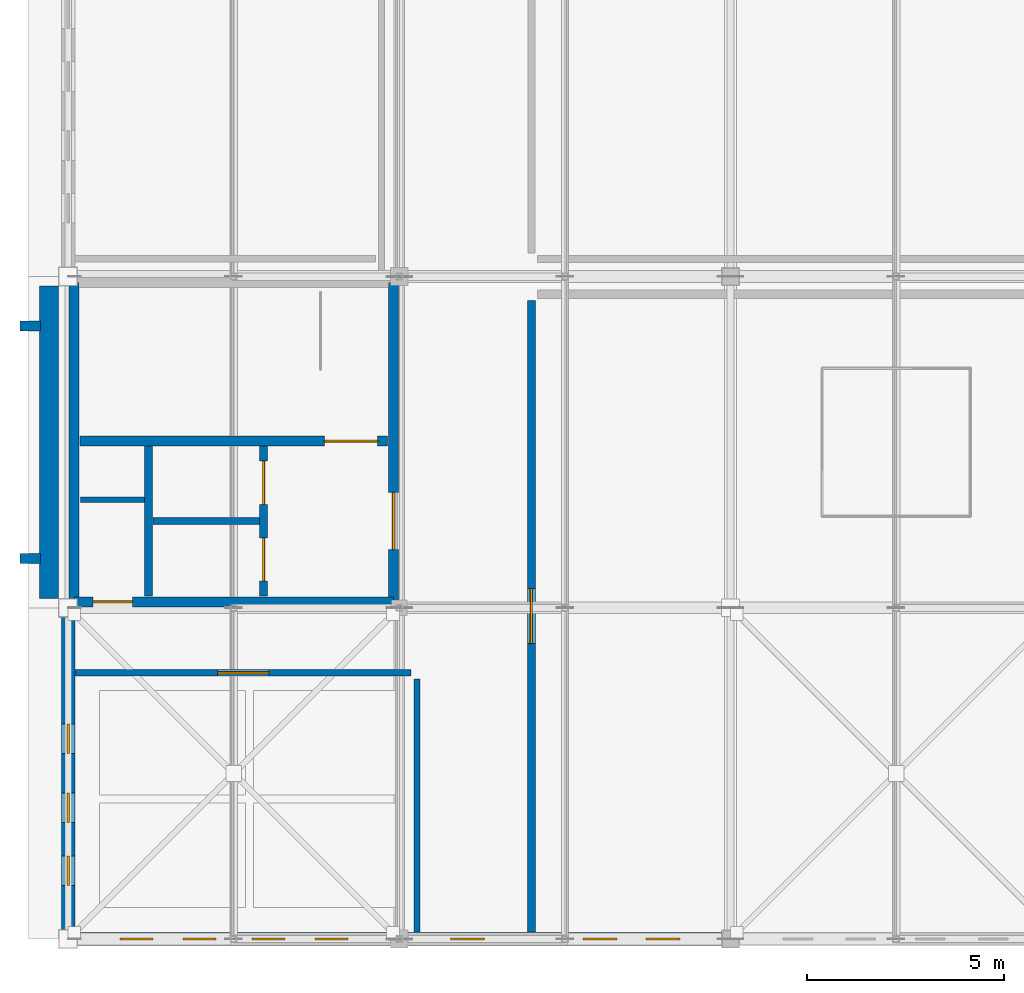
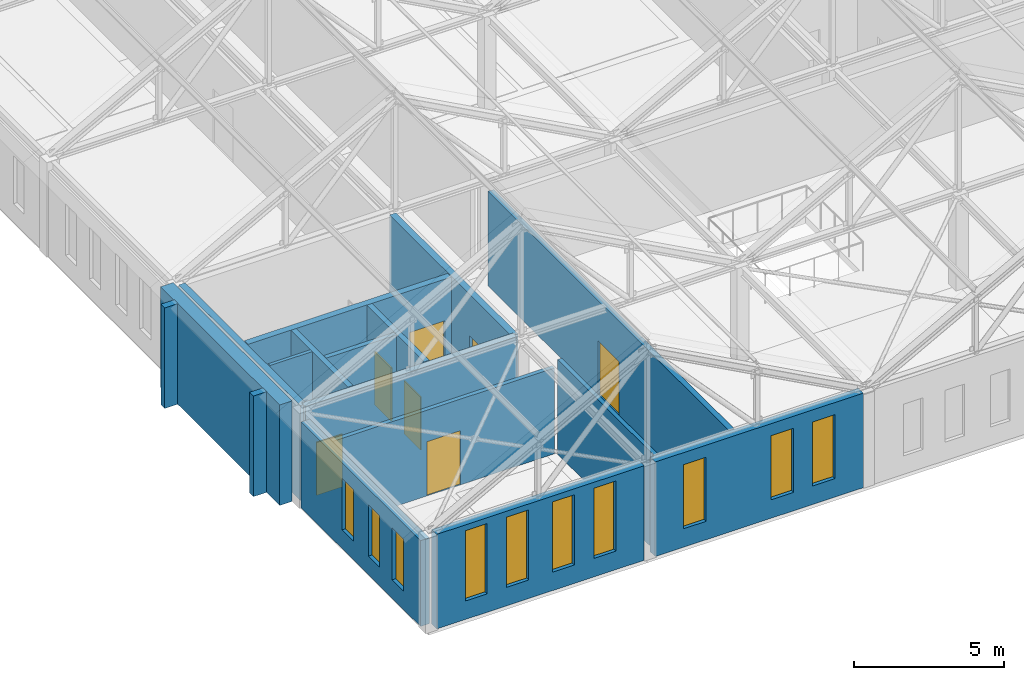
# One storey, part 30 of 36: 17 walls, 10 windows, 7 doors, 17 openings.
"""IFC4 building model written with IfcOpenShell, lengths in metres."""

from ifc_helpers import new_model, si_unit, direction, frame, frame_2d, origin, place, context, subcontext, project, spatial, rectangle, extrude, material, layer, layer_set, type_object, element, fill, save


model = new_model("IFC4")

# Units and contexts
model_context = context("Model", 3, precision=1e-05, world=origin(), true_north=direction((0.0, 1.0)))
body_context = subcontext(model_context, "Body", "Model", "MODEL_VIEW")
ifc_project = project(units=[si_unit("LENGTHUNIT", "METRE"), si_unit("AREAUNIT", "SQUARE_METRE"), si_unit("VOLUMEUNIT", "CUBIC_METRE"), si_unit("PLANEANGLEUNIT", "RADIAN"), si_unit("MASSUNIT", "GRAM", prefix="KILO")], contexts=[model_context])

# Site, building, storey
site_placement = place(None, origin())
site = spatial("IfcSite", under=ifc_project, at=site_placement, CompositionType="ELEMENT")
building_placement = place(site_placement, origin())
building = spatial("IfcBuilding", under=site, at=building_placement, Name="Kveldsbrygga Polytechnic", CompositionType="ELEMENT")
storey_placement = place(building_placement, frame((0.0, 0.0, 26.179931640625)))
storey = spatial("IfcBuildingStorey", under=building, at=storey_placement, Name="L06", CompositionType="ELEMENT", Elevation=26.179931640625)

# Wall
ifc_material_1 = material(Name="Fired clay brick masonry M10", Category="masonry")
ifc_layer_1 = layer(ifc_material_1, 0.47998046875)
ifc_layer_set_1 = layer_set([ifc_layer_1], Name="Fired clay brick masonry M10")
wall_type_1 = type_object("IfcWallType", Name="EW-BAST-480", PredefinedType="SOLIDWALL", material=ifc_layer_set_1)
wall_1_placement = place(storey_placement, frame((125.52001953125, 25.43994140625, 0.0), z_axis=(0.0, 0.0, 1.0), x_axis=(0.0, 1.0, 0.0)))
element("IfcWall", 1, at=wall_1_placement, inside=storey, type_object=wall_type_1, Name="Corner Stair Bastion Wall BAST-L06-Y-15-03", PredefinedType="SOLIDWALL", context=body_context, shape_type="SweptSolid", body=[
    extrude(rectangle(XDim=7.920166015625, YDim=0.47998046875, at=frame_2d((3.9599609375, 0.0))), origin(), (0.0, 0.0, 1.0), 4.080078125),
])

# Wall, openings, windows
ifc_layer_2 = layer(ifc_material_1, 0.340087890625)
ifc_layer_set_2 = layer_set([ifc_layer_2], Name="Fired clay brick masonry M10")
wall_type_2 = type_object("IfcWallType", Name="EW-BRICK-340", PredefinedType="SOLIDWALL", material=ifc_layer_set_2)
wall_2_placement = place(storey_placement, frame((126.22509765625, 16.800048828125, 0.0), z_axis=(0.0, 0.0, 1.0), x_axis=(1.0, 0.0, 0.0)))
wall_2 = element("IfcWall", 2, at=wall_2_placement, inside=storey, type_object=wall_type_2, Name="Exterior Brick Wall EW-L06-X-15-02", PredefinedType="SOLIDWALL", context=body_context, shape_type="SweptSolid", body=[
    extrude(rectangle(XDim=7.96484375, YDim=0.340087890625, at=frame_2d((3.982421875, 0.0))), origin(), (0.0, 0.0, 1.0), 3.840087890625),
])
opening_1_placement = place(wall_2_placement, frame((1.09326171875, 0.0, 0.75)))
opening_1 = element("IfcOpeningElement", 3, at=opening_1_placement, cuts=wall_2, Name="Opening W-13", PredefinedType="OPENING", context=body_context, shape_type="SweptSolid", body=[
    extrude(rectangle(XDim=0.840087890625, YDim=2.85009765625, at=frame_2d((0.419921875, 1.425048828125))), frame((0.0, 0.18017578125, 0.0), z_axis=(0.0, -1.0, 0.0), x_axis=(1.0, 0.0, 0.0)), (0.0, 0.0, 1.0), 0.360107421875),
])
opening_2_placement = place(wall_2_placement, frame((2.686279296875, 0.0, 0.75)))
opening_2 = element("IfcOpeningElement", 4, at=opening_2_placement, cuts=wall_2, Name="Opening W-13", PredefinedType="OPENING", context=body_context, shape_type="SweptSolid", body=[
    extrude(rectangle(XDim=0.840087890625, YDim=2.85009765625, at=frame_2d((0.419921875, 1.425048828125))), frame((0.0, 0.18017578125, 0.0), z_axis=(0.0, -1.0, 0.0), x_axis=(1.0, 0.0, 0.0)), (0.0, 0.0, 1.0), 0.360107421875),
])
opening_3_placement = place(wall_2_placement, frame((4.438720703125, 0.0, 0.75)))
opening_3 = element("IfcOpeningElement", 5, at=opening_3_placement, cuts=wall_2, Name="Opening W-13", PredefinedType="OPENING", context=body_context, shape_type="SweptSolid", body=[
    extrude(rectangle(XDim=0.840087890625, YDim=2.85009765625, at=frame_2d((0.419921875, 1.425048828125))), frame((0.0, 0.18017578125, 0.0), z_axis=(0.0, -1.0, 0.0), x_axis=(1.0, 0.0, 0.0)), (0.0, 0.0, 1.0), 0.360107421875),
])
opening_4_placement = place(wall_2_placement, frame((6.03173828125, 0.0, 0.75)))
opening_4 = element("IfcOpeningElement", 6, at=opening_4_placement, cuts=wall_2, Name="Opening W-13", PredefinedType="OPENING", context=body_context, shape_type="SweptSolid", body=[
    extrude(rectangle(XDim=0.840087890625, YDim=2.85009765625, at=frame_2d((0.419921875, 1.425048828125))), frame((0.0, 0.18017578125, 0.0), z_axis=(0.0, -1.0, 0.0), x_axis=(1.0, 0.0, 0.0)), (0.0, 0.0, 1.0), 0.360107421875),
])
ifc_material_2 = material(Name="Insulated triple low-E glass", Category="glass")
window_type_1 = type_object("IfcWindowType", Name="WN-LANC-084x285", PartitioningType="DOUBLE_PANEL_VERTICAL", PredefinedType="WINDOW", material=ifc_material_2)
window_1_placement = place(opening_1_placement, origin())
window_1 = element("IfcWindow", 7, at=window_1_placement, inside=storey, type_object=window_type_1, Name="Gothic Lancet Window WIN-L06-X-15-02-1", OverallHeight=2.85009765625, OverallWidth=0.840087890625, PartitioningType="DOUBLE_PANEL_VERTICAL", PredefinedType="WINDOW", context=body_context, shape_type="SweptSolid", body=[
    extrude(rectangle(XDim=0.840087890625, YDim=2.85009765625, at=frame_2d((0.419921875, 1.425048828125))), frame((0.0, 0.030029296875, 0.0), z_axis=(0.0, -1.0, 0.0), x_axis=(1.0, 0.0, 0.0)), (0.0, 0.0, 1.0), 0.06005859375),
])
fill(opening_1, window_1)
window_2_placement = place(opening_2_placement, origin())
window_2 = element("IfcWindow", 8, at=window_2_placement, inside=storey, type_object=window_type_1, Name="Gothic Lancet Window WIN-L06-X-15-02-2", OverallHeight=2.85009765625, OverallWidth=0.840087890625, PartitioningType="DOUBLE_PANEL_VERTICAL", PredefinedType="WINDOW", context=body_context, shape_type="SweptSolid", body=[
    extrude(rectangle(XDim=0.840087890625, YDim=2.85009765625, at=frame_2d((0.419921875, 1.425048828125))), frame((0.0, 0.030029296875, 0.0), z_axis=(0.0, -1.0, 0.0), x_axis=(1.0, 0.0, 0.0)), (0.0, 0.0, 1.0), 0.06005859375),
])
fill(opening_2, window_2)
window_3_placement = place(opening_3_placement, origin())
window_3 = element("IfcWindow", 9, at=window_3_placement, inside=storey, type_object=window_type_1, Name="Gothic Lancet Window WIN-L06-X-15-02-3", OverallHeight=2.85009765625, OverallWidth=0.840087890625, PartitioningType="DOUBLE_PANEL_VERTICAL", PredefinedType="WINDOW", context=body_context, shape_type="SweptSolid", body=[
    extrude(rectangle(XDim=0.840087890625, YDim=2.85009765625, at=frame_2d((0.419921875, 1.425048828125))), frame((0.0, 0.030029296875, 0.0), z_axis=(0.0, -1.0, 0.0), x_axis=(1.0, 0.0, 0.0)), (0.0, 0.0, 1.0), 0.06005859375),
])
fill(opening_3, window_3)
window_4_placement = place(opening_4_placement, origin())
window_4 = element("IfcWindow", 10, at=window_4_placement, inside=storey, type_object=window_type_1, Name="Gothic Lancet Window WIN-L06-X-15-02-4", OverallHeight=2.85009765625, OverallWidth=0.840087890625, PartitioningType="DOUBLE_PANEL_VERTICAL", PredefinedType="WINDOW", context=body_context, shape_type="SweptSolid", body=[
    extrude(rectangle(XDim=0.840087890625, YDim=2.85009765625, at=frame_2d((0.419921875, 1.425048828125))), frame((0.0, 0.030029296875, 0.0), z_axis=(0.0, -1.0, 0.0), x_axis=(1.0, 0.0, 0.0)), (0.0, 0.0, 1.0), 0.06005859375),
])
fill(opening_4, window_4)

wall_3_placement = place(storey_placement, frame((126.0, 17.02490234375, 0.0), z_axis=(0.0, 0.0, 1.0), x_axis=(0.0, 1.0, 0.0)))
wall_3 = element("IfcWall", 11, at=wall_3_placement, inside=storey, type_object=wall_type_2, Name="Exterior Brick Wall EW-L06-Y-15-02", PredefinedType="SOLIDWALL", context=body_context, shape_type="SweptSolid", body=[
    extrude(rectangle(XDim=7.9501953125, YDim=0.340087890625, at=frame_2d((3.97509765625, 0.0))), origin(), (0.0, 0.0, 1.0), 3.47998046875),
])
opening_5_placement = place(wall_3_placement, frame((1.135498046875, 0.0, 0.75)))
opening_5 = element("IfcOpeningElement", 12, at=opening_5_placement, cuts=wall_3, Name="Opening W-27", PredefinedType="OPENING", context=body_context, shape_type="SweptSolid", body=[
    extrude(rectangle(XDim=0.75, YDim=2.10009765625, at=frame_2d((0.375, 1.050048828125))), frame((0.0, 0.18017578125, 0.0), z_axis=(0.0, -1.0, 0.0), x_axis=(1.0, 0.0, 0.0)), (0.0, 0.0, 1.0), 0.360107421875),
])
opening_6_placement = place(wall_3_placement, frame((2.7255859375, 0.0, 0.75)))
opening_6 = element("IfcOpeningElement", 13, at=opening_6_placement, cuts=wall_3, Name="Opening W-27", PredefinedType="OPENING", context=body_context, shape_type="SweptSolid", body=[
    extrude(rectangle(XDim=0.75, YDim=2.10009765625, at=frame_2d((0.375, 1.050048828125))), frame((0.0, 0.18017578125, 0.0), z_axis=(0.0, -1.0, 0.0), x_axis=(1.0, 0.0, 0.0)), (0.0, 0.0, 1.0), 0.360107421875),
])
opening_7_placement = place(wall_3_placement, frame((4.474609375, 0.0, 0.75)))
opening_7 = element("IfcOpeningElement", 14, at=opening_7_placement, cuts=wall_3, Name="Opening W-27", PredefinedType="OPENING", context=body_context, shape_type="SweptSolid", body=[
    extrude(rectangle(XDim=0.75, YDim=2.10009765625, at=frame_2d((0.375, 1.050048828125))), frame((0.0, 0.18017578125, 0.0), z_axis=(0.0, -1.0, 0.0), x_axis=(1.0, 0.0, 0.0)), (0.0, 0.0, 1.0), 0.360107421875),
])
window_type_2 = type_object("IfcWindowType", Name="WN-ATTIC-075x210", PartitioningType="DOUBLE_PANEL_VERTICAL", PredefinedType="WINDOW", material=ifc_material_2)
window_5_placement = place(opening_5_placement, origin())
window_5 = element("IfcWindow", 15, at=window_5_placement, inside=storey, type_object=window_type_2, Name="Gothic Lancet Window WIN-L06-Y-15-02-1", OverallHeight=2.10009765625, OverallWidth=0.75, PartitioningType="DOUBLE_PANEL_VERTICAL", PredefinedType="WINDOW", context=body_context, shape_type="SweptSolid", body=[
    extrude(rectangle(XDim=0.75, YDim=2.10009765625, at=frame_2d((0.375, 1.050048828125))), frame((0.0, 0.030029296875, 0.0), z_axis=(0.0, -1.0, 0.0), x_axis=(1.0, 0.0, 0.0)), (0.0, 0.0, 1.0), 0.06005859375),
])
fill(opening_5, window_5)
window_6_placement = place(opening_6_placement, origin())
window_6 = element("IfcWindow", 16, at=window_6_placement, inside=storey, type_object=window_type_2, Name="Gothic Lancet Window WIN-L06-Y-15-02-2", OverallHeight=2.10009765625, OverallWidth=0.75, PartitioningType="DOUBLE_PANEL_VERTICAL", PredefinedType="WINDOW", context=body_context, shape_type="SweptSolid", body=[
    extrude(rectangle(XDim=0.75, YDim=2.10009765625, at=frame_2d((0.375, 1.050048828125))), frame((0.0, 0.030029296875, 0.0), z_axis=(0.0, -1.0, 0.0), x_axis=(1.0, 0.0, 0.0)), (0.0, 0.0, 1.0), 0.06005859375),
])
fill(opening_6, window_6)
window_7_placement = place(opening_7_placement, origin())
window_7 = element("IfcWindow", 17, at=window_7_placement, inside=storey, type_object=window_type_2, Name="Gothic Lancet Window WIN-L06-Y-15-02-3", OverallHeight=2.10009765625, OverallWidth=0.75, PartitioningType="DOUBLE_PANEL_VERTICAL", PredefinedType="WINDOW", context=body_context, shape_type="SweptSolid", body=[
    extrude(rectangle(XDim=0.75, YDim=2.10009765625, at=frame_2d((0.375, 1.050048828125))), frame((0.0, 0.030029296875, 0.0), z_axis=(0.0, -1.0, 0.0), x_axis=(1.0, 0.0, 0.0)), (0.0, 0.0, 1.0), 0.06005859375),
])
fill(opening_7, window_7)

wall_4_placement = place(storey_placement, frame((134.610107421875, 16.800048828125, 0.0), z_axis=(0.0, 0.0, 1.0), x_axis=(1.0, 0.0, 0.0)))
wall_4 = element("IfcWall", 18, at=wall_4_placement, inside=storey, type_object=wall_type_2, Name="Exterior Brick Wall EW-L06-X-16-02", PredefinedType="SOLIDWALL", context=body_context, shape_type="SweptSolid", body=[
    extrude(rectangle(XDim=7.994873046875, YDim=0.340087890625, at=frame_2d((3.99755859375, 0.0))), origin(), (0.0, 0.0, 1.0), 3.840087890625),
])
opening_8_placement = place(wall_4_placement, frame((1.089111328125, 0.0, 0.75)))
opening_8 = element("IfcOpeningElement", 19, at=opening_8_placement, cuts=wall_4, Name="Opening W-16", PredefinedType="OPENING", context=body_context, shape_type="SweptSolid", body=[
    extrude(rectangle(XDim=0.860107421875, YDim=2.60009765625, at=frame_2d((0.43017578125, 1.300048828125))), frame((0.0, 0.18017578125, 0.0), z_axis=(0.0, -1.0, 0.0), x_axis=(1.0, 0.0, 0.0)), (0.0, 0.0, 1.0), 0.360107421875),
])
opening_9_placement = place(wall_4_placement, frame((4.447021484375, 0.0, 0.75)))
opening_9 = element("IfcOpeningElement", 20, at=opening_9_placement, cuts=wall_4, Name="Opening W-16", PredefinedType="OPENING", context=body_context, shape_type="SweptSolid", body=[
    extrude(rectangle(XDim=0.860107421875, YDim=2.60009765625, at=frame_2d((0.43017578125, 1.300048828125))), frame((0.0, 0.18017578125, 0.0), z_axis=(0.0, -1.0, 0.0), x_axis=(1.0, 0.0, 0.0)), (0.0, 0.0, 1.0), 0.360107421875),
])
opening_10_placement = place(wall_4_placement, frame((6.0458984375, 0.0, 0.75)))
opening_10 = element("IfcOpeningElement", 21, at=opening_10_placement, cuts=wall_4, Name="Opening W-16", PredefinedType="OPENING", context=body_context, shape_type="SweptSolid", body=[
    extrude(rectangle(XDim=0.860107421875, YDim=2.60009765625, at=frame_2d((0.43017578125, 1.300048828125))), frame((0.0, 0.18017578125, 0.0), z_axis=(0.0, -1.0, 0.0), x_axis=(1.0, 0.0, 0.0)), (0.0, 0.0, 1.0), 0.360107421875),
])
window_type_3 = type_object("IfcWindowType", Name="WN-LANC-086x260", PartitioningType="DOUBLE_PANEL_VERTICAL", PredefinedType="WINDOW", material=ifc_material_2)
window_8_placement = place(opening_8_placement, origin())
window_8 = element("IfcWindow", 22, at=window_8_placement, inside=storey, type_object=window_type_3, Name="Gothic Lancet Window WIN-L06-X-16-02-1", OverallHeight=2.60009765625, OverallWidth=0.860107421875, PartitioningType="DOUBLE_PANEL_VERTICAL", PredefinedType="WINDOW", context=body_context, shape_type="SweptSolid", body=[
    extrude(rectangle(XDim=0.860107421875, YDim=2.60009765625, at=frame_2d((0.43017578125, 1.300048828125))), frame((0.0, 0.030029296875, 0.0), z_axis=(0.0, -1.0, 0.0), x_axis=(1.0, 0.0, 0.0)), (0.0, 0.0, 1.0), 0.06005859375),
])
fill(opening_8, window_8)
window_9_placement = place(opening_9_placement, origin())
window_9 = element("IfcWindow", 23, at=window_9_placement, inside=storey, type_object=window_type_3, Name="Gothic Lancet Window WIN-L06-X-16-02-3", OverallHeight=2.60009765625, OverallWidth=0.860107421875, PartitioningType="DOUBLE_PANEL_VERTICAL", PredefinedType="WINDOW", context=body_context, shape_type="SweptSolid", body=[
    extrude(rectangle(XDim=0.860107421875, YDim=2.60009765625, at=frame_2d((0.43017578125, 1.300048828125))), frame((0.0, 0.030029296875, 0.0), z_axis=(0.0, -1.0, 0.0), x_axis=(1.0, 0.0, 0.0)), (0.0, 0.0, 1.0), 0.06005859375),
])
fill(opening_9, window_9)
window_10_placement = place(opening_10_placement, origin())
window_10 = element("IfcWindow", 24, at=window_10_placement, inside=storey, type_object=window_type_3, Name="Gothic Lancet Window WIN-L06-X-16-02-4", OverallHeight=2.60009765625, OverallWidth=0.860107421875, PartitioningType="DOUBLE_PANEL_VERTICAL", PredefinedType="WINDOW", context=body_context, shape_type="SweptSolid", body=[
    extrude(rectangle(XDim=0.860107421875, YDim=2.60009765625, at=frame_2d((0.43017578125, 1.300048828125))), frame((0.0, 0.030029296875, 0.0), z_axis=(0.0, -1.0, 0.0), x_axis=(1.0, 0.0, 0.0)), (0.0, 0.0, 1.0), 0.06005859375),
])
fill(opening_10, window_10)

# Walls
ifc_layer_3 = layer(ifc_material_1, 0.260009765625)
ifc_layer_set_3 = layer_set([ifc_layer_3], Name="Fired clay brick masonry M10")
wall_type_3 = type_object("IfcWallType", Name="EW-BUTT-260", PredefinedType="SOLIDWALL", material=ifc_layer_set_3)
for number, where, z_axis, x_axis, name in (
    (25, (125.300048828125, 26.449951171875, 0.0), (0.0, 0.0, 1.0), (-1.0, 0.0, 0.0), "Gothic Brick Buttress Pier BCLAS-L06-Y-15-03-1"),
    (26, (125.300048828125, 32.35009765625, 0.0), (0.0, 0.0, 1.0), (-1.0, 0.0, 0.0), "Gothic Brick Buttress Pier BCLAS-L06-Y-15-03-2"),
):
    element("IfcWall", number, at=place(storey_placement, frame(where, z_axis=z_axis, x_axis=x_axis)), inside=storey, type_object=wall_type_3, Name=name, PredefinedType="SOLIDWALL", context=body_context, shape_type="SweptSolid", body=[
        extrude(rectangle(XDim=0.52001953125, YDim=0.260009765625, at=frame_2d((0.260009765625, 0.0))), origin(), (0.0, 0.0, 1.0), 4.080078125),
    ])

# Wall, opening, door
ifc_material_3 = material(Name="Concrete blockwork masonry", Category="masonry")
ifc_layer_4 = layer(ifc_material_3, 0.2099609375)
ifc_layer_set_4 = layer_set([ifc_layer_4], Name="Concrete blockwork masonry")
wall_type_4 = type_object("IfcWallType", Name="IW-PLT-210", PredefinedType="PARTITIONING", material=ifc_layer_set_4)
wall_5_placement = place(storey_placement, frame((137.75, 16.97998046875, 0.0), z_axis=(0.0, 0.0, 1.0), x_axis=(0.0, 1.0, 0.0)))
wall_5 = element("IfcWall", 27, at=wall_5_placement, inside=storey, type_object=wall_type_4, Name="Partition Wall IW-SP-L06-PLANT-W1", PredefinedType="PARTITIONING", context=body_context, shape_type="SweptSolid", body=[
    extrude(rectangle(XDim=16.02001953125, YDim=0.2099609375, at=frame_2d((8.010009765625, 0.0))), origin(), (0.0, 0.0, 1.0), 3.840087890625),
])
opening_11_placement = place(wall_5_placement, frame((7.31005859375, 0.0, 0.0)))
opening_11 = element("IfcOpeningElement", 28, at=opening_11_placement, cuts=wall_5, Name="Opening ID-L06-104", PredefinedType="OPENING", context=body_context, shape_type="SweptSolid", body=[
    extrude(rectangle(XDim=1.39990234375, YDim=2.199951171875, at=frame_2d((0.699951171875, 1.10009765625))), frame((0.0, 0.114990234375, 0.0), z_axis=(0.0, -1.0, 0.0), x_axis=(1.0, 0.0, 0.0)), (0.0, 0.0, 1.0), 0.22998046875),
])
ifc_material_4 = material(Name="Powder-coated galvanised steel", Category="steel")
door_type_1 = type_object("IfcDoorType", Name="ID-PLT-140x220", OperationType="DOUBLE_DOOR_SINGLE_SWING", PredefinedType="DOOR", material=ifc_material_4)
door_1_placement = place(opening_11_placement, origin())
door_1 = element("IfcDoor", 29, at=door_1_placement, inside=storey, type_object=door_type_1, Name="Interior Door ID-L06-104", OperationType="DOUBLE_DOOR_SINGLE_SWING", OverallHeight=2.199951171875, OverallWidth=1.39990234375, PredefinedType="DOOR", context=body_context, shape_type="SweptSolid", body=[
    extrude(rectangle(XDim=1.39990234375, YDim=2.199951171875, at=frame_2d((0.699951171875, 1.10009765625))), frame((0.0, 0.02490234375, 0.0), z_axis=(0.0, -1.0, 0.0), x_axis=(1.0, 0.0, 0.0)), (0.0, 0.0, 1.0), 0.050048828125),
])
fill(opening_11, door_1)

# Wall
ifc_material_5 = material(Name="Moisture-resistant masonry M10", Category="masonry")
ifc_layer_5 = layer(ifc_material_5, 0.1298828125)
ifc_layer_set_5 = layer_set([ifc_layer_5], Name="Moisture-resistant masonry M10")
wall_type_5 = type_object("IfcWallType", Name="IW-SAN-130", PredefinedType="PARTITIONING", material=ifc_layer_set_5)
wall_6_placement = place(storey_placement, frame((126.320068359375, 27.93994140625, 0.0), z_axis=(0.0, 0.0, 1.0), x_axis=(1.0, 0.0, 0.0)))
element("IfcWall", 30, at=wall_6_placement, inside=storey, type_object=wall_type_5, Name="Core AWC Divider C1-L06-W-RSR", PredefinedType="PARTITIONING", context=body_context, shape_type="SweptSolid", body=[
    extrude(rectangle(XDim=1.619873046875, YDim=0.1298828125, at=frame_2d((0.81005859375, 0.0))), origin(), (0.0, 0.0, 1.0), 3.840087890625),
])

# Wall, opening, door
ifc_material_6 = material(Name="Gypsum acoustic stud partition")
ifc_layer_6 = layer(ifc_material_6, 0.159912109375)
ifc_layer_set_6 = layer_set([ifc_layer_6], Name="Gypsum acoustic stud partition")
wall_type_6 = type_object("IfcWallType", Name="IW-STD-160", PredefinedType="PARTITIONING", material=ifc_layer_set_6)
wall_7_placement = place(storey_placement, frame((126.179931640625, 23.550048828125, 0.0), z_axis=(0.0, 0.0, 1.0), x_axis=(1.0, 0.0, 0.0)))
wall_7 = element("IfcWall", 31, at=wall_7_placement, inside=storey, type_object=wall_type_6, Name="Partition Wall IW-SP-L06-STD62-N1", PredefinedType="PARTITIONING", context=body_context, shape_type="SweptSolid", body=[
    extrude(rectangle(XDim=8.52001953125, YDim=0.159912109375, at=frame_2d((4.260009765625, 0.0))), origin(), (0.0, 0.0, 1.0), 3.47998046875),
])
opening_12_placement = place(wall_7_placement, frame((3.610107421875, 0.0, 0.0)))
opening_12 = element("IfcOpeningElement", 32, at=opening_12_placement, cuts=wall_7, Name="Opening ID-L06-100", PredefinedType="OPENING", context=body_context, shape_type="SweptSolid", body=[
    extrude(rectangle(XDim=1.300048828125, YDim=2.199951171875, at=frame_2d((0.64990234375, 1.10009765625))), frame((0.0, 0.08984375, 0.0), z_axis=(0.0, -1.0, 0.0), x_axis=(1.0, 0.0, 0.0)), (0.0, 0.0, 1.0), 0.179931640625),
])
ifc_material_7 = material(Name="Acoustic oak timber", Category="wood")
door_type_2 = type_object("IfcDoorType", Name="ID-STD-130x220", OperationType="NOTDEFINED", PredefinedType="DOOR", material=ifc_material_7)
door_2_placement = place(opening_12_placement, origin())
door_2 = element("IfcDoor", 33, at=door_2_placement, inside=storey, type_object=door_type_2, Name="Interior Door ID-L06-100", OperationType="SINGLE_SWING_LEFT", OverallHeight=2.199951171875, OverallWidth=1.300048828125, PredefinedType="DOOR", context=body_context, shape_type="SweptSolid", body=[
    extrude(rectangle(XDim=1.300048828125, YDim=2.199951171875, at=frame_2d((0.64990234375, 1.10009765625))), frame((0.0, 0.02490234375, 0.0), z_axis=(0.0, -1.0, 0.0), x_axis=(1.0, 0.0, 0.0)), (0.0, 0.0, 1.0), 0.050048828125),
])
fill(opening_12, door_2)

# Wall
wall_8_placement = place(storey_placement, frame((134.85009765625, 16.97998046875, 0.0), z_axis=(0.0, 0.0, 1.0), x_axis=(0.0, 1.0, 0.0)))
element("IfcWall", 34, at=wall_8_placement, inside=storey, type_object=wall_type_6, Name="Partition Wall IW-SP-L06-STD62-E1", PredefinedType="PARTITIONING", context=body_context, shape_type="SweptSolid", body=[
    extrude(rectangle(XDim=6.419921875, YDim=0.159912109375, at=frame_2d((3.2099609375, 0.0))), origin(), (0.0, 0.0, 1.0), 3.840087890625),
])

# Wall, opening, door
ifc_material_8 = material(Name="Concrete C45/55", Category="concrete")
ifc_layer_7 = layer(ifc_material_8, 0.25)
ifc_layer_set_7 = layer_set([ifc_layer_7], Name="Concrete C45/55")
wall_type_7 = type_object("IfcWallType", Name="WL-CORE-250", PredefinedType="SHEAR", material=ifc_layer_set_7)
wall_9_placement = place(storey_placement, frame((126.14990234375, 25.35009765625, 0.0), z_axis=(0.0, 0.0, 1.0), x_axis=(1.0, 0.0, 0.0)))
wall_9 = element("IfcWall", 35, at=wall_9_placement, inside=storey, type_object=wall_type_7, Name="Core C1 Shear Wall C1-L06-SW-S", PredefinedType="SHEAR", context=body_context, shape_type="SweptSolid", body=[
    extrude(rectangle(XDim=8.10009765625, YDim=0.25, at=frame_2d((4.050048828125, 0.0))), origin(), (0.0, 0.0, 1.0), 3.840087890625),
])
opening_13_placement = place(wall_9_placement, frame((0.485107421875, 0.0, 0.0)))
opening_13 = element("IfcOpeningElement", 36, at=opening_13_placement, cuts=wall_9, Name="Opening ID-C1-L06-AWC", PredefinedType="OPENING", context=body_context, shape_type="SweptSolid", body=[
    extrude(rectangle(XDim=1.0, YDim=2.14990234375, at=frame_2d((0.5, 1.074951171875))), frame((0.0, 0.135009765625, 0.0), z_axis=(0.0, -1.0, 0.0), x_axis=(1.0, 0.0, 0.0)), (0.0, 0.0, 1.0), 0.27001953125),
])
door_type_3 = type_object("IfcDoorType", Name="ID-AWC-100x215", OperationType="NOTDEFINED", PredefinedType="DOOR", material=ifc_material_7)
door_3_placement = place(opening_13_placement, origin())
door_3 = element("IfcDoor", 37, at=door_3_placement, inside=storey, type_object=door_type_3, Name="Accessible WC Door ID-C1-L06-AWC", OperationType="SINGLE_SWING_RIGHT", OverallHeight=2.14990234375, OverallWidth=1.0, PredefinedType="DOOR", context=body_context, shape_type="SweptSolid", body=[
    extrude(rectangle(XDim=1.0, YDim=2.14990234375, at=frame_2d((0.5, 1.074951171875))), frame((0.0, 0.02490234375, 0.0), z_axis=(0.0, -1.0, 0.0), x_axis=(1.0, 0.0, 0.0)), (0.0, 0.0, 1.0), 0.050048828125),
])
fill(opening_13, door_3)

# Wall
wall_10_placement = place(storey_placement, frame((126.14990234375, 25.35009765625, 0.0), z_axis=(0.0, 0.0, 1.0), x_axis=(0.0, 1.0, 0.0)))
element("IfcWall", 38, at=wall_10_placement, inside=storey, type_object=wall_type_7, Name="Core C1 Shear Wall C1-L06-SW-W", PredefinedType="SHEAR", context=body_context, shape_type="SweptSolid", body=[
    extrude(rectangle(XDim=8.099853515625, YDim=0.25, at=frame_2d((4.0498046875, 0.0))), origin(), (0.0, 0.0, 1.0), 3.840087890625),
])

# Wall, opening, door
wall_11_placement = place(storey_placement, frame((134.25, 25.35009765625, 0.0), z_axis=(0.0, 0.0, 1.0), x_axis=(0.0, 1.0, 0.0)))
wall_11 = element("IfcWall", 39, at=wall_11_placement, inside=storey, type_object=wall_type_7, Name="Core C1 Shear Wall C1-L06-SW-E", PredefinedType="SHEAR", context=body_context, shape_type="SweptSolid", body=[
    extrude(rectangle(XDim=8.099853515625, YDim=0.25, at=frame_2d((4.0498046875, 0.0))), origin(), (0.0, 0.0, 1.0), 3.840087890625),
])
opening_14_placement = place(wall_11_placement, frame((1.324951171875, 0.0, 0.0)))
opening_14 = element("IfcOpeningElement", 40, at=opening_14_placement, cuts=wall_11, Name="Opening FD-C1-L06-LOB", PredefinedType="OPENING", context=body_context, shape_type="SweptSolid", body=[
    extrude(rectangle(XDim=1.449951171875, YDim=2.14990234375, at=frame_2d((0.72509765625, 1.074951171875))), frame((0.0, 0.135009765625, 0.0), z_axis=(0.0, -1.0, 0.0), x_axis=(1.0, 0.0, 0.0)), (0.0, 0.0, 1.0), 0.27001953125),
])
door_type_4 = type_object("IfcDoorType", Name="ID-LOBBY-145x215", OperationType="DOUBLE_DOOR_SINGLE_SWING", PredefinedType="DOOR", material=ifc_material_4)
door_4_placement = place(opening_14_placement, origin())
door_4 = element("IfcDoor", 41, at=door_4_placement, inside=storey, type_object=door_type_4, Name="Core Lobby Fire Door FD-C1-L06-LOB", OperationType="DOUBLE_DOOR_SINGLE_SWING", OverallHeight=2.14990234375, OverallWidth=1.449951171875, PredefinedType="DOOR", context=body_context, shape_type="SweptSolid", body=[
    extrude(rectangle(XDim=1.449951171875, YDim=2.14990234375, at=frame_2d((0.72509765625, 1.074951171875))), frame((0.0, 0.02490234375, 0.0), z_axis=(0.0, -1.0, 0.0), x_axis=(1.0, 0.0, 0.0)), (0.0, 0.0, 1.0), 0.050048828125),
])
fill(opening_14, door_4)

wall_12_placement = place(storey_placement, frame((126.300048828125, 29.429931640625, 0.0), z_axis=(0.0, 0.0, 1.0), x_axis=(1.0, 0.0, 0.0)))
wall_12 = element("IfcWall", 42, at=wall_12_placement, inside=storey, type_object=wall_type_7, Name="Core C1 Shear Wall C1-L06-W-DIV", PredefinedType="SHEAR", context=body_context, shape_type="SweptSolid", body=[
    extrude(rectangle(XDim=7.800048828125, YDim=0.25, at=frame_2d((3.89990234375, 0.0))), origin(), (0.0, 0.0, 1.0), 3.840087890625),
])
opening_15_placement = place(wall_12_placement, frame((6.199951171875, 0.0, 0.0)))
opening_15 = element("IfcOpeningElement", 43, at=opening_15_placement, cuts=wall_12, Name="Opening FD-C1-L06-ST", PredefinedType="OPENING", context=body_context, shape_type="SweptSolid", body=[
    extrude(rectangle(XDim=1.35009765625, YDim=2.14990234375, at=frame_2d((0.675048828125, 1.074951171875))), frame((0.0, 0.135009765625, 0.0), z_axis=(0.0, -1.0, 0.0), x_axis=(1.0, 0.0, 0.0)), (0.0, 0.0, 1.0), 0.27001953125),
])
door_type_5 = type_object("IfcDoorType", Name="ID-STAIR-135x215", OperationType="NOTDEFINED", PredefinedType="DOOR", material=ifc_material_4)
door_5_placement = place(opening_15_placement, origin())
door_5 = element("IfcDoor", 44, at=door_5_placement, inside=storey, type_object=door_type_5, Name="Stair Fire Door FD-C1-L06-ST", OperationType="SINGLE_SWING_LEFT", OverallHeight=2.14990234375, OverallWidth=1.35009765625, PredefinedType="DOOR", context=body_context, shape_type="SweptSolid", body=[
    extrude(rectangle(XDim=1.35009765625, YDim=2.14990234375, at=frame_2d((0.675048828125, 1.074951171875))), frame((0.0, 0.02490234375, 0.0), z_axis=(0.0, -1.0, 0.0), x_axis=(1.0, 0.0, 0.0)), (0.0, 0.0, 1.0), 0.050048828125),
])
fill(opening_15, door_5)

# Wall
ifc_material_9 = material(Name="Concrete C35/45", Category="concrete")
ifc_layer_8 = layer(ifc_material_9, 0.179931640625)
ifc_layer_set_8 = layer_set([ifc_layer_8], Name="Concrete C35/45")
wall_type_8 = type_object("IfcWallType", Name="WL-SHFT-180", PredefinedType="SHEAR", material=ifc_layer_set_8)
wall_13_placement = place(storey_placement, frame((128.14990234375, 27.39990234375, 0.0), z_axis=(0.0, 0.0, 1.0), x_axis=(1.0, 0.0, 0.0)))
element("IfcWall", 45, at=wall_13_placement, inside=storey, type_object=wall_type_8, Name="Lift Divider Wall C1-L06-W-LMID", PredefinedType="SHEAR", context=body_context, shape_type="SweptSolid", body=[
    extrude(rectangle(XDim=2.7001953125, YDim=0.179931640625, at=frame_2d((1.35009765625, 0.0))), origin(), (0.0, 0.0, 1.0), 3.840087890625),
])

# Wall, openings, doors
ifc_layer_9 = layer(ifc_material_9, 0.199951171875)
ifc_layer_set_9 = layer_set([ifc_layer_9], Name="Concrete C35/45")
wall_type_9 = type_object("IfcWallType", Name="WL-SHFT-200", PredefinedType="SHEAR", material=ifc_layer_set_9)
wall_14_placement = place(storey_placement, frame((130.9599609375, 25.5, 0.0), z_axis=(0.0, 0.0, 1.0), x_axis=(0.0, 1.0, 0.0)))
wall_14 = element("IfcWall", 46, at=wall_14_placement, inside=storey, type_object=wall_type_9, Name="Lift Front Wall C1-L06-W-LFR", PredefinedType="SHEAR", context=body_context, shape_type="SweptSolid", body=[
    extrude(rectangle(XDim=3.800048828125, YDim=0.199951171875, at=frame_2d((1.89990234375, 0.0))), origin(), (0.0, 0.0, 1.0), 3.840087890625),
])
opening_16_placement = place(wall_14_placement, frame((0.375, 0.0, 0.0)))
opening_16 = element("IfcOpeningElement", 47, at=opening_16_placement, cuts=wall_14, Name="Opening LD-FL-1", PredefinedType="OPENING", context=body_context, shape_type="SweptSolid", body=[
    extrude(rectangle(XDim=1.10009765625, YDim=2.14990234375, at=frame_2d((0.550048828125, 1.074951171875))), frame((0.0, 0.10986328125, 0.0), z_axis=(0.0, -1.0, 0.0), x_axis=(1.0, 0.0, 0.0)), (0.0, 0.0, 1.0), 0.219970703125),
])
opening_17_placement = place(wall_14_placement, frame((2.324951171875, 0.0, 0.0)))
opening_17 = element("IfcOpeningElement", 48, at=opening_17_placement, cuts=wall_14, Name="Opening LD-LP-1", PredefinedType="OPENING", context=body_context, shape_type="SweptSolid", body=[
    extrude(rectangle(XDim=1.10009765625, YDim=2.14990234375, at=frame_2d((0.550048828125, 1.074951171875))), frame((0.0, 0.10986328125, 0.0), z_axis=(0.0, -1.0, 0.0), x_axis=(1.0, 0.0, 0.0)), (0.0, 0.0, 1.0), 0.219970703125),
])
ifc_material_10 = material(Name="Brushed stainless steel EN 1.4401", Category="steel")
door_type_6 = type_object("IfcDoorType", Name="LD-PAX-110x215", OperationType="SLIDING_TO_LEFT", PredefinedType="DOOR", material=ifc_material_10)
door_6_placement = place(opening_16_placement, origin())
door_6 = element("IfcDoor", 49, at=door_6_placement, inside=storey, type_object=door_type_6, Name="Lift Landing Sliding Door LD-FL-1-L06", OperationType="SLIDING_TO_LEFT", OverallHeight=2.14990234375, OverallWidth=1.10009765625, PredefinedType="DOOR", context=body_context, shape_type="SweptSolid", body=[
    extrude(rectangle(XDim=1.10009765625, YDim=2.14990234375, at=frame_2d((0.550048828125, 1.074951171875))), frame((0.0, 0.02490234375, 0.0), z_axis=(0.0, -1.0, 0.0), x_axis=(1.0, 0.0, 0.0)), (0.0, 0.0, 1.0), 0.050048828125),
])
fill(opening_16, door_6)
door_7_placement = place(opening_17_placement, origin())
door_7 = element("IfcDoor", 50, at=door_7_placement, inside=storey, type_object=door_type_6, Name="Lift Landing Sliding Door LD-LP-1-L06", OperationType="SLIDING_TO_LEFT", OverallHeight=2.14990234375, OverallWidth=1.10009765625, PredefinedType="DOOR", context=body_context, shape_type="SweptSolid", body=[
    extrude(rectangle(XDim=1.10009765625, YDim=2.14990234375, at=frame_2d((0.550048828125, 1.074951171875))), frame((0.0, 0.02490234375, 0.0), z_axis=(0.0, -1.0, 0.0), x_axis=(1.0, 0.0, 0.0)), (0.0, 0.0, 1.0), 0.050048828125),
])
fill(opening_17, door_7)

# Wall
wall_15_placement = place(storey_placement, frame((128.0400390625, 25.5, 0.0), z_axis=(0.0, 0.0, 1.0), x_axis=(0.0, 1.0, 0.0)))
element("IfcWall", 51, at=wall_15_placement, inside=storey, type_object=wall_type_9, Name="Lift Back Wall C1-L06-W-LBK", PredefinedType="SHEAR", context=body_context, shape_type="SweptSolid", body=[
    extrude(rectangle(XDim=3.800048828125, YDim=0.199951171875, at=frame_2d((1.89990234375, 0.0))), origin(), (0.0, 0.0, 1.0), 3.840087890625),
])

save(model, "model.ifc")
